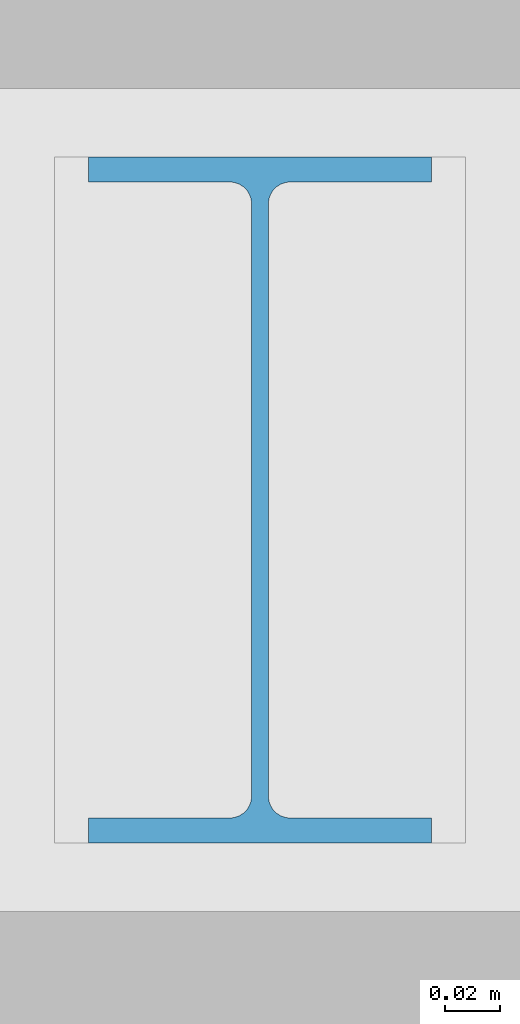
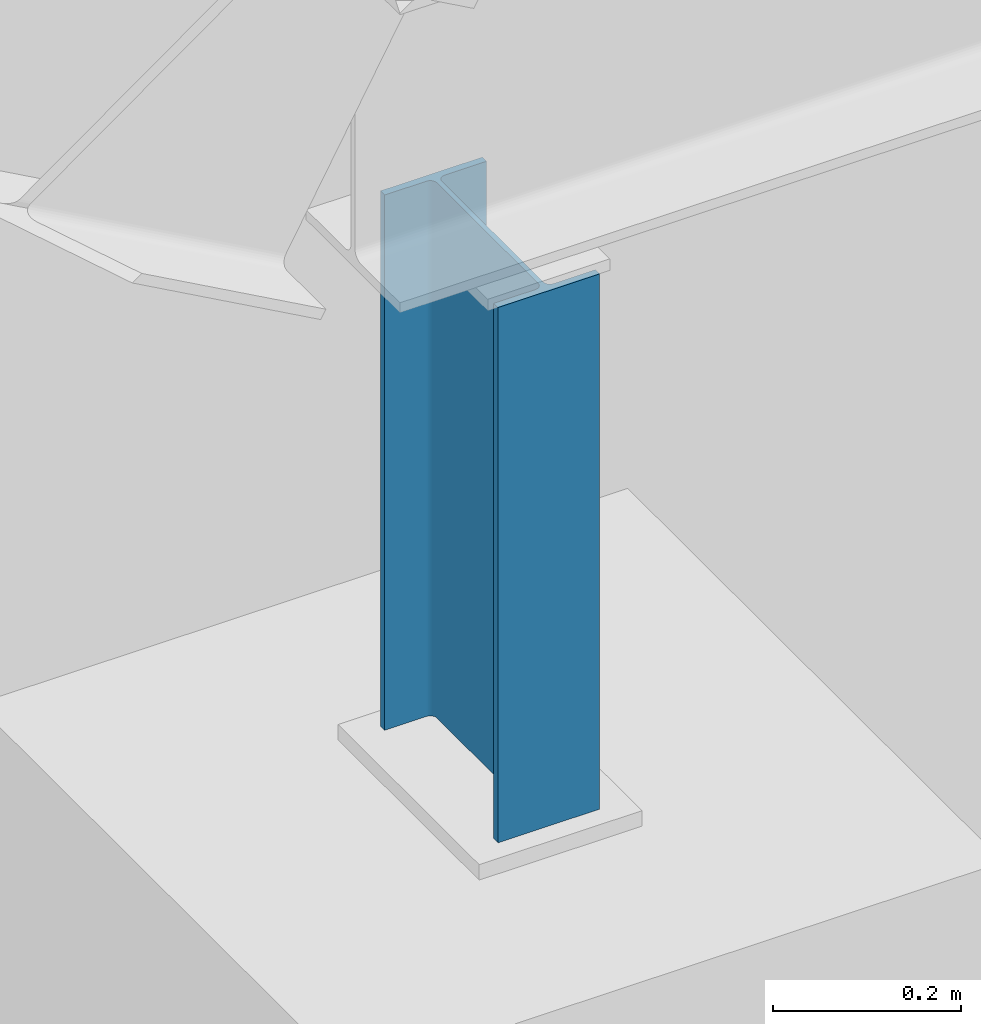
# One storey, part 227 of 437: 1 member.
"""IFC4 building model written with IfcOpenShell, lengths in metres."""

from ifc_helpers import new_model, si_unit, direction, frame, origin, origin_2d, place, context, subcontext, project, spatial, i_section, extrude, material, material_profile, profile_set, type_object, element, save


model = new_model("IFC4")

# Units and contexts
model_context = context("Model", 3, precision=1e-05, world=origin(), true_north=direction((0.0, 1.0)))
body_context = subcontext(model_context, "Body", "Model", "MODEL_VIEW")
ifc_project = project(units=[si_unit("LENGTHUNIT", "METRE"), si_unit("AREAUNIT", "SQUARE_METRE"), si_unit("VOLUMEUNIT", "CUBIC_METRE"), si_unit("PLANEANGLEUNIT", "RADIAN"), si_unit("MASSUNIT", "GRAM", prefix="KILO")], contexts=[model_context])

# Site, building, storey
site_placement = place(None, origin())
site = spatial("IfcSite", under=ifc_project, at=site_placement, CompositionType="ELEMENT")
building_placement = place(site_placement, origin())
building = spatial("IfcBuilding", under=site, at=building_placement, Name="Opaline Strait Convention Centre", CompositionType="ELEMENT")
storey_placement = place(building_placement, frame((0.0, 0.0, 11.5)))
storey = spatial("IfcBuildingStorey", under=building, at=storey_placement, Name="L02", CompositionType="ELEMENT", Elevation=11.5)

# Member
ifc_material = material(Name="Steel Q355B", Category="steel")
ifc_material_profile = material_profile(ifc_material, i_section(OverallWidth=0.125, OverallDepth=0.25, WebThickness=0.006103515625, FlangeThickness=0.009033203125, FilletRadius=0.008056640625, at=origin_2d()), Name="HN 250x125x6x9")
ifc_profile_set = profile_set([ifc_material_profile], Name="Steel Q355B")
member_type = type_object("IfcMemberType", Name="Roof post HN 250x125x6x9", PredefinedType="STRUT", material=ifc_profile_set)
member_placement = place(storey_placement, frame((54.0, 72.0, 4.68994140625), z_axis=(0.0, 0.0, 1.0), x_axis=(1.0, 0.0, 0.0)))
element("IfcMember", 1, at=member_placement, inside=storey, type_object=member_type, Name="RP1 roof post at 54/72", PredefinedType="STRUT", context=body_context, shape_type="SweptSolid", body=[
    extrude(i_section(OverallWidth=0.125, OverallDepth=0.25, WebThickness=0.006103515625, FlangeThickness=0.009033203125, FilletRadius=0.008056640625, at=origin_2d()), origin(), (0.0, 0.0, 1.0), 0.695068359375),
])

save(model, "model.ifc")
